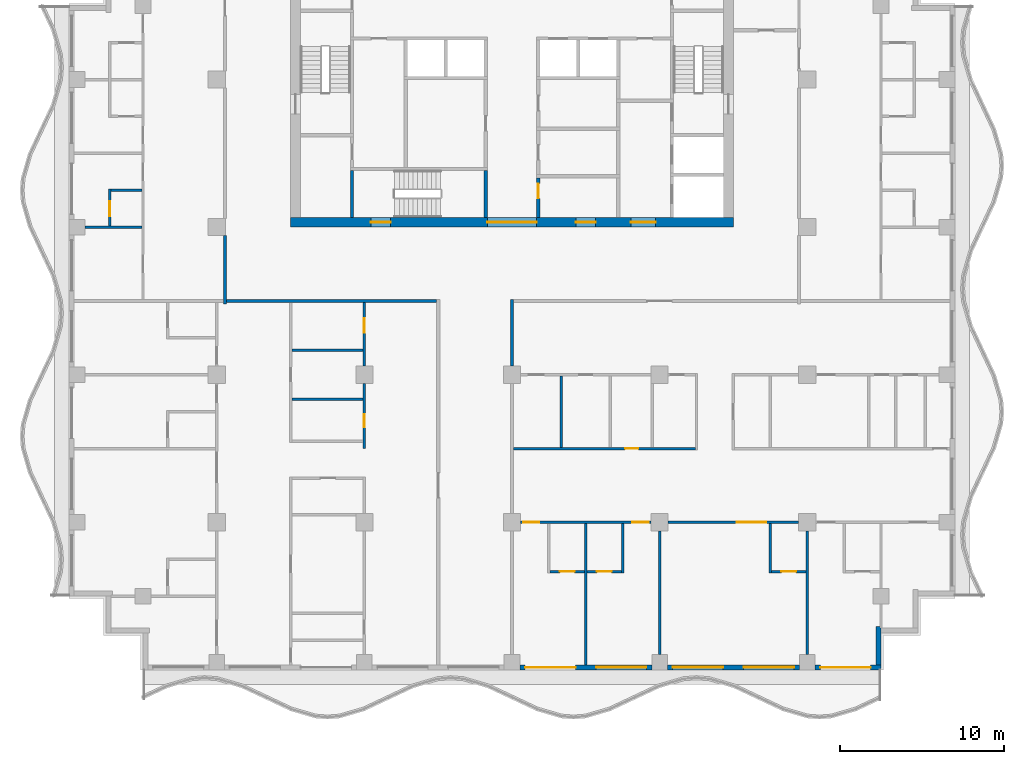
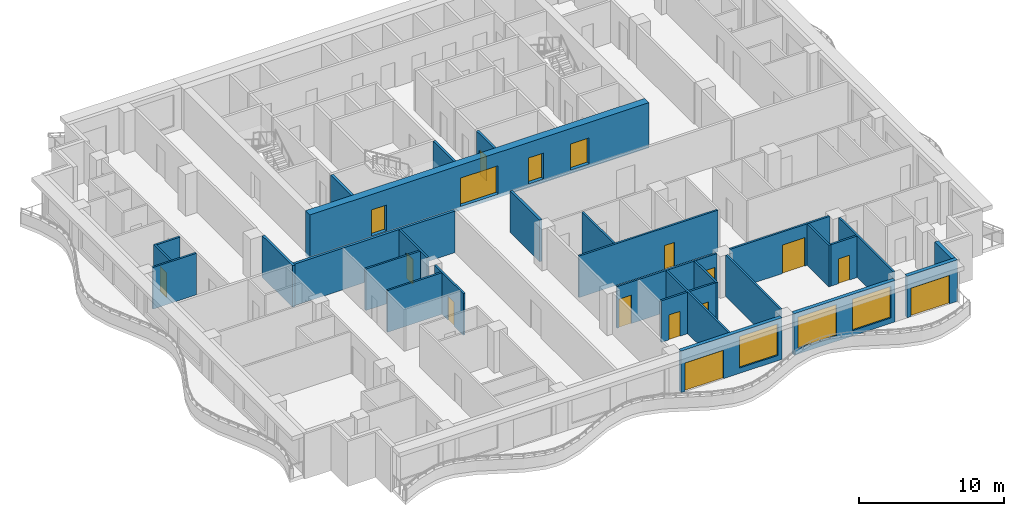
# One storey, part 3 of 11: 30 walls, 17 doors, 3 windows, 20 openings.
"""IFC4 building model written with IfcOpenShell, lengths in metres."""

from ifc_helpers import new_model, si_unit, direction, frame, frame_2d, origin, place, context, subcontext, project, spatial, rectangle, extrude, material, layer, layer_set, type_object, element, fill, save


model = new_model("IFC4")

# Units and contexts
model_context = context("Model", 3, precision=1e-05, world=origin(), true_north=direction((0.0, 1.0)))
body_context = subcontext(model_context, "Body", "Model", "MODEL_VIEW")
ifc_project = project(units=[si_unit("LENGTHUNIT", "METRE"), si_unit("AREAUNIT", "SQUARE_METRE"), si_unit("VOLUMEUNIT", "CUBIC_METRE"), si_unit("PLANEANGLEUNIT", "RADIAN"), si_unit("MASSUNIT", "GRAM", prefix="KILO")], contexts=[model_context])

# Site, building, storey
site_placement = place(None, origin())
site = spatial("IfcSite", under=ifc_project, at=site_placement, CompositionType="ELEMENT")
building_placement = place(site_placement, origin())
building = spatial("IfcBuilding", under=site, at=building_placement, Name="Orbiselva Terraces", CompositionType="ELEMENT")
storey_placement = place(building_placement, frame((0.0, 0.0, 226.2)))
storey = spatial("IfcBuildingStorey", under=building, at=storey_placement, Name="L57", CompositionType="ELEMENT", Elevation=226.2)

# Wall, openings, doors
ifc_material_1 = material(Name="Concrete C80/95", Category="concrete")
ifc_layer_1 = layer(ifc_material_1, 0.6)
ifc_layer_set_1 = layer_set([ifc_layer_1], Name="Concrete C80/95")
wall_type_1 = type_object("IfcWallType", Name="CORE WALL 600", PredefinedType="SHEAR", material=ifc_layer_set_1)
wall_1_placement = place(storey_placement, frame((-13.5, 4.8, -0.3), z_axis=(0.0, 0.0, 1.0), x_axis=(1.0, 0.0, 0.0)))
wall_1 = element("IfcWall", 1, at=wall_1_placement, inside=storey, type_object=wall_type_1, Name="Core wall L57 south", PredefinedType="SHEAR", context=body_context, shape_type="SweptSolid", body=[
    extrude(rectangle(XDim=27.0, YDim=0.6, at=frame_2d((13.5, 0.0))), origin(), (0.0, 0.0, 1.0), 3.8),
])
opening_1_placement = place(wall_1_placement, frame((12.0, 0.0, 0.3)))
opening_1 = element("IfcOpeningElement", 2, at=opening_1_placement, cuts=wall_1, Name="Opening DL3000", PredefinedType="OPENING", context=body_context, shape_type="SweptSolid", body=[
    extrude(rectangle(XDim=3.0, YDim=2.4, at=frame_2d((1.5, 1.2))), frame((0.0, 0.31, 0.0), z_axis=(0.0, -1.0, 0.0), x_axis=(1.0, 0.0, 0.0)), (0.0, 0.0, 1.0), 0.62),
])
opening_2_placement = place(wall_1_placement, frame((4.9, 0.0, 0.3)))
opening_2 = element("IfcOpeningElement", 3, at=opening_2_placement, cuts=wall_1, Name="Opening DS1200", PredefinedType="OPENING", context=body_context, shape_type="SweptSolid", body=[
    extrude(rectangle(XDim=1.2, YDim=2.2, at=frame_2d((0.6, 1.1))), frame((0.0, 0.31, 0.0), z_axis=(0.0, -1.0, 0.0), x_axis=(1.0, 0.0, 0.0)), (0.0, 0.0, 1.0), 0.62),
])
opening_3_placement = place(wall_1_placement, frame((20.75, 0.0, 0.3)))
opening_3 = element("IfcOpeningElement", 4, at=opening_3_placement, cuts=wall_1, Name="Opening DF1500", PredefinedType="OPENING", context=body_context, shape_type="SweptSolid", body=[
    extrude(rectangle(XDim=1.5, YDim=2.2, at=frame_2d((0.75, 1.1))), frame((0.0, 0.31, 0.0), z_axis=(0.0, -1.0, 0.0), x_axis=(1.0, 0.0, 0.0)), (0.0, 0.0, 1.0), 0.62),
])
opening_4_placement = place(wall_1_placement, frame((17.4, 0.0, 0.3)))
opening_4 = element("IfcOpeningElement", 5, at=opening_4_placement, cuts=wall_1, Name="Opening DV1200", PredefinedType="OPENING", context=body_context, shape_type="SweptSolid", body=[
    extrude(rectangle(XDim=1.2, YDim=2.2, at=frame_2d((0.6, 1.1))), frame((0.0, 0.31, 0.0), z_axis=(0.0, -1.0, 0.0), x_axis=(1.0, 0.0, 0.0)), (0.0, 0.0, 1.0), 0.62),
])
ifc_material_2 = material(Name="Steel fire door", Category="steel")
door_type_1 = type_object("IfcDoorType", Name="FFL DOOR 1500", OperationType="DOUBLE_DOOR_SINGLE_SWING", PredefinedType="DOOR", material=ifc_material_2)
door_1_placement = place(opening_3_placement, frame((1.5, 0.0, 0.0), z_axis=(0.0, 0.0, 1.0), x_axis=(-1.0, 0.0, 0.0)))
door_1 = element("IfcDoor", 6, at=door_1_placement, inside=storey, type_object=door_type_1, Name="L57 FIRE-FIGHTING LOBBY door", OperationType="DOUBLE_DOOR_SINGLE_SWING", OverallHeight=2.2, OverallWidth=1.5, PredefinedType="DOOR", context=body_context, shape_type="SweptSolid", body=[
    extrude(rectangle(XDim=1.5, YDim=2.2, at=frame_2d((0.75, 1.1))), frame((0.0, 0.025, 0.0), z_axis=(0.0, -1.0, 0.0), x_axis=(1.0, 0.0, 0.0)), (0.0, 0.0, 1.0), 0.05),
])
fill(opening_3, door_1)
door_type_2 = type_object("IfcDoorType", Name="LOBBY DOOR 3000", OperationType="DOUBLE_DOOR_SINGLE_SWING", PredefinedType="DOOR", material=ifc_material_2)
door_2_placement = place(opening_1_placement, frame((3.0, 0.0, 0.0), z_axis=(0.0, 0.0, 1.0), x_axis=(-1.0, 0.0, 0.0)))
door_2 = element("IfcDoor", 7, at=door_2_placement, inside=storey, type_object=door_type_2, Name="L57 LIFT LOBBY door", OperationType="DOUBLE_DOOR_SINGLE_SWING", OverallHeight=2.4, OverallWidth=3.0, PredefinedType="DOOR", context=body_context, shape_type="SweptSolid", body=[
    extrude(rectangle(XDim=3.0, YDim=2.4, at=frame_2d((1.5, 1.2))), frame((0.0, 0.025, 0.0), z_axis=(0.0, -1.0, 0.0), x_axis=(1.0, 0.0, 0.0)), (0.0, 0.0, 1.0), 0.05),
])
fill(opening_1, door_2)
door_type_3 = type_object("IfcDoorType", Name="SERVICE DOOR 1200", OperationType="NOTDEFINED", PredefinedType="DOOR", material=ifc_material_2)
door_3_placement = place(opening_4_placement, frame((1.2, 0.0, 0.0), z_axis=(0.0, 0.0, 1.0), x_axis=(-1.0, 0.0, 0.0)))
door_3 = element("IfcDoor", 8, at=door_3_placement, inside=storey, type_object=door_type_3, Name="L57 ELECTRICAL RISER ROOM door", OperationType="SINGLE_SWING_RIGHT", OverallHeight=2.2, OverallWidth=1.2, PredefinedType="DOOR", context=body_context, shape_type="SweptSolid", body=[
    extrude(rectangle(XDim=1.2, YDim=2.2, at=frame_2d((0.6, 1.1))), frame((0.0, 0.025, 0.0), z_axis=(0.0, -1.0, 0.0), x_axis=(1.0, 0.0, 0.0)), (0.0, 0.0, 1.0), 0.05),
])
fill(opening_4, door_3)
door_type_4 = type_object("IfcDoorType", Name="STAIR DOOR 1200", OperationType="NOTDEFINED", PredefinedType="DOOR", material=ifc_material_2)
door_4_placement = place(opening_2_placement, frame((1.2, 0.0, 0.0), z_axis=(0.0, 0.0, 1.0), x_axis=(-1.0, 0.0, 0.0)))
door_4 = element("IfcDoor", 9, at=door_4_placement, inside=storey, type_object=door_type_4, Name="L57 EXIT STAIR S3 door", OperationType="SINGLE_SWING_LEFT", OverallHeight=2.2, OverallWidth=1.2, PredefinedType="DOOR", context=body_context, shape_type="SweptSolid", body=[
    extrude(rectangle(XDim=1.2, YDim=2.2, at=frame_2d((0.6, 1.1))), frame((0.0, 0.025, 0.0), z_axis=(0.0, -1.0, 0.0), x_axis=(1.0, 0.0, 0.0)), (0.0, 0.0, 1.0), 0.05),
])
fill(opening_2, door_4)

# Wall, opening, door
ifc_material_3 = material(Name="Masonry blockwork", Category="masonry")
ifc_layer_2 = layer(ifc_material_3, 0.2)
ifc_layer_set_2 = layer_set([ifc_layer_2], Name="Masonry blockwork")
wall_type_2 = type_object("IfcWallType", Name="CORE-WALL-PARTITION-200", PredefinedType="PARTITIONING", material=ifc_layer_set_2)
wall_2_placement = place(storey_placement, frame((1.6, 7.5, 0.0), z_axis=(0.0, 0.0, 1.0), x_axis=(0.0, -1.0, 0.0)))
wall_2 = element("IfcWall", 10, at=wall_2_placement, inside=storey, type_object=wall_type_2, Name="L57 core wall 22", PredefinedType="PARTITIONING", context=body_context, shape_type="SweptSolid", body=[
    extrude(rectangle(XDim=2.4, YDim=0.2, at=frame_2d((1.2, 0.0))), origin(), (0.0, 0.0, 1.0), 3.5),
])
opening_5_placement = place(wall_2_placement, frame((0.35, 0.0, 0.0)))
opening_5 = element("IfcOpeningElement", 11, at=opening_5_placement, cuts=wall_2, Name="Opening DR900", PredefinedType="OPENING", context=body_context, shape_type="SweptSolid", body=[
    extrude(rectangle(XDim=0.9, YDim=2.1, at=frame_2d((0.45, 1.05))), frame((0.0, 0.11, 0.0), z_axis=(0.0, -1.0, 0.0), x_axis=(1.0, 0.0, 0.0)), (0.0, 0.0, 1.0), 0.22),
])
door_type_5 = type_object("IfcDoorType", Name="ROOM DOOR 900", OperationType="NOTDEFINED", PredefinedType="DOOR", material=ifc_material_2)
door_5_placement = place(opening_5_placement, origin())
door_5 = element("IfcDoor", 12, at=door_5_placement, inside=storey, type_object=door_type_5, Name="L57 ELECTRICAL RISER ROOM door", OperationType="SINGLE_SWING_LEFT", OverallHeight=2.1, OverallWidth=0.9, PredefinedType="DOOR", context=body_context, shape_type="SweptSolid", body=[
    extrude(rectangle(XDim=0.9, YDim=2.1, at=frame_2d((0.45, 1.05))), frame((0.0, 0.025, 0.0), z_axis=(0.0, -1.0, 0.0), x_axis=(1.0, 0.0, 0.0)), (0.0, 0.0, 1.0), 0.05),
])
fill(opening_5, door_5)

# Walls
ifc_material_4 = material(Name="Concrete C60/75", Category="concrete")
ifc_layer_3 = layer(ifc_material_4, 0.2)
ifc_layer_set_3 = layer_set([ifc_layer_3], Name="Concrete C60/75")
wall_type_3 = type_object("IfcWallType", Name="CORE-WALL-SHEAR-200", PredefinedType="SHEAR", material=ifc_layer_set_3)
for number, where, z_axis, x_axis, name in (
    (13, (-9.75, 5.1, 0.0), (0.0, 0.0, 1.0), (0.0, 1.0, 0.0), "L57 core wall 03"),
    (14, (-1.6, 5.1, 0.0), (0.0, 0.0, 1.0), (0.0, 1.0, 0.0), "L57 core wall 18"),
):
    element("IfcWall", number, at=place(storey_placement, frame(where, z_axis=z_axis, x_axis=x_axis)), inside=storey, type_object=wall_type_3, Name=name, PredefinedType="SHEAR", context=body_context, shape_type="SweptSolid", body=[
        extrude(rectangle(XDim=2.85, YDim=0.2, at=frame_2d((1.425, 0.0))), origin(), (0.0, 0.0, 1.0), 3.5),
    ])

# Wall, openings, door, window
ifc_material_5 = material(Name="Terracotta cladding on masonry backing", Category="masonry")
ifc_layer_4 = layer(ifc_material_5, 0.3)
ifc_layer_set_4 = layer_set([ifc_layer_4], Name="Terracotta cladding on masonry backing")
wall_type_4 = type_object("IfcWallType", Name="ENV-WALL-TERRACOTTA-300", PredefinedType="SOLIDWALL", material=ifc_layer_set_4)
wall_3_placement = place(storey_placement, frame((8.525, -22.35, 0.0), z_axis=(0.0, 0.0, 1.0), x_axis=(-1.0, 0.0, 0.0)))
wall_3 = element("IfcWall", 15, at=wall_3_placement, inside=storey, type_object=wall_type_4, Name="Facade wall L57 S", PredefinedType="SOLIDWALL", context=body_context, shape_type="SweptSolid", body=[
    extrude(rectangle(XDim=8.05, YDim=0.3, at=frame_2d((4.025, 0.0))), origin(), (0.0, 0.0, 1.0), 3.5),
])
opening_6_placement = place(wall_3_placement, frame((4.65, 0.0, 0.0)))
opening_6 = element("IfcOpeningElement", 16, at=opening_6_placement, cuts=wall_3, Name="Opening Z4-E-E02", PredefinedType="OPENING", context=body_context, shape_type="SweptSolid", body=[
    extrude(rectangle(XDim=3.075, YDim=2.4, at=frame_2d((1.5375, 1.2))), frame((0.0, 0.16, 0.0), z_axis=(0.0, -1.0, 0.0), x_axis=(1.0, 0.0, 0.0)), (0.0, 0.0, 1.0), 0.32),
])
opening_7_placement = place(wall_3_placement, frame((0.325, 0.0, 0.45)))
opening_7 = element("IfcOpeningElement", 17, at=opening_7_placement, cuts=wall_3, Name="Opening WN15", PredefinedType="OPENING", context=body_context, shape_type="SweptSolid", body=[
    extrude(rectangle(XDim=3.075, YDim=2.65, at=frame_2d((1.5375, 1.325))), frame((0.0, 0.16, 0.0), z_axis=(0.0, -1.0, 0.0), x_axis=(1.0, 0.0, 0.0)), (0.0, 0.0, 1.0), 0.32),
])
ifc_material_6 = material(Name="Clear low-e glazing in aluminium frame", Category="aluminium")
door_type_6 = type_object("IfcDoorType", Name="BALCONY DOOR 3075 X 2400", OperationType="DOUBLE_DOOR_SLIDING", PredefinedType="DOOR", material=ifc_material_6)
door_6_placement = place(opening_6_placement, origin())
door_6 = element("IfcDoor", 18, at=door_6_placement, inside=storey, type_object=door_type_6, Name="Z4-E-E02", OperationType="SINGLE_SWING_LEFT", OverallHeight=2.4, OverallWidth=3.075, PredefinedType="DOOR", context=body_context, shape_type="SweptSolid", body=[
    extrude(rectangle(XDim=3.075, YDim=2.4, at=frame_2d((1.5375, 1.2))), frame((0.0, 0.025, 0.0), z_axis=(0.0, -1.0, 0.0), x_axis=(1.0, 0.0, 0.0)), (0.0, 0.0, 1.0), 0.05),
])
fill(opening_6, door_6)
window_type = type_object("IfcWindowType", Name="WINDOW 3075 X 2650 S450", PartitioningType="TRIPLE_PANEL_VERTICAL", PredefinedType="WINDOW", material=ifc_material_6)
window_1_placement = place(opening_7_placement, origin())
window_1 = element("IfcWindow", 19, at=window_1_placement, inside=storey, type_object=window_type, Name="Window L57 S", OverallHeight=2.65, OverallWidth=3.075, PartitioningType="SINGLE_PANEL", PredefinedType="WINDOW", context=body_context, shape_type="SweptSolid", body=[
    extrude(rectangle(XDim=3.075, YDim=2.65, at=frame_2d((1.5375, 1.325))), frame((0.0, 0.03, 0.0), z_axis=(0.0, -1.0, 0.0), x_axis=(1.0, 0.0, 0.0)), (0.0, 0.0, 1.0), 0.06),
])
fill(opening_7, window_1)

# Wall, openings, windows
wall_4_placement = place(storey_placement, frame((17.525, -22.35, 0.0), z_axis=(0.0, 0.0, 1.0), x_axis=(-1.0, 0.0, 0.0)))
wall_4 = element("IfcWall", 20, at=wall_4_placement, inside=storey, type_object=wall_type_4, Name="Facade wall L57 S", PredefinedType="SOLIDWALL", context=body_context, shape_type="SweptSolid", body=[
    extrude(rectangle(XDim=8.05, YDim=0.3, at=frame_2d((4.025, 0.0))), origin(), (0.0, 0.0, 1.0), 3.5),
])
opening_8_placement = place(wall_4_placement, frame((4.65, 0.0, 0.45)))
opening_8 = element("IfcOpeningElement", 21, at=opening_8_placement, cuts=wall_4, Name="Opening WN15", PredefinedType="OPENING", context=body_context, shape_type="SweptSolid", body=[
    extrude(rectangle(XDim=3.075, YDim=2.65, at=frame_2d((1.5375, 1.325))), frame((0.0, 0.16, 0.0), z_axis=(0.0, -1.0, 0.0), x_axis=(1.0, 0.0, 0.0)), (0.0, 0.0, 1.0), 0.32),
])
opening_9_placement = place(wall_4_placement, frame((0.325, 0.0, 0.45)))
opening_9 = element("IfcOpeningElement", 22, at=opening_9_placement, cuts=wall_4, Name="Opening WN15", PredefinedType="OPENING", context=body_context, shape_type="SweptSolid", body=[
    extrude(rectangle(XDim=3.075, YDim=2.65, at=frame_2d((1.5375, 1.325))), frame((0.0, 0.16, 0.0), z_axis=(0.0, -1.0, 0.0), x_axis=(1.0, 0.0, 0.0)), (0.0, 0.0, 1.0), 0.32),
])
window_2_placement = place(opening_8_placement, origin())
window_2 = element("IfcWindow", 23, at=window_2_placement, inside=storey, type_object=window_type, Name="Window L57 S", OverallHeight=2.65, OverallWidth=3.075, PartitioningType="SINGLE_PANEL", PredefinedType="WINDOW", context=body_context, shape_type="SweptSolid", body=[
    extrude(rectangle(XDim=3.075, YDim=2.65, at=frame_2d((1.5375, 1.325))), frame((0.0, 0.03, 0.0), z_axis=(0.0, -1.0, 0.0), x_axis=(1.0, 0.0, 0.0)), (0.0, 0.0, 1.0), 0.06),
])
fill(opening_8, window_2)
window_3_placement = place(opening_9_placement, origin())
window_3 = element("IfcWindow", 24, at=window_3_placement, inside=storey, type_object=window_type, Name="Window L57 S", OverallHeight=2.65, OverallWidth=3.075, PartitioningType="SINGLE_PANEL", PredefinedType="WINDOW", context=body_context, shape_type="SweptSolid", body=[
    extrude(rectangle(XDim=3.075, YDim=2.65, at=frame_2d((1.5375, 1.325))), frame((0.0, 0.03, 0.0), z_axis=(0.0, -1.0, 0.0), x_axis=(1.0, 0.0, 0.0)), (0.0, 0.0, 1.0), 0.06),
])
fill(opening_9, window_3)

# Wall, opening, door
wall_5_placement = place(storey_placement, frame((22.5, -22.35, 0.0), z_axis=(0.0, 0.0, 1.0), x_axis=(-1.0, 0.0, 0.0)))
wall_5 = element("IfcWall", 25, at=wall_5_placement, inside=storey, type_object=wall_type_4, Name="Facade wall L57 S", PredefinedType="SOLIDWALL", context=body_context, shape_type="SweptSolid", body=[
    extrude(rectangle(XDim=4.025, YDim=0.3, at=frame_2d((2.0125, 0.0))), origin(), (0.0, 0.0, 1.0), 3.5),
])
opening_10_placement = place(wall_5_placement, frame((0.625, 0.0, 0.0)))
opening_10 = element("IfcOpeningElement", 26, at=opening_10_placement, cuts=wall_5, Name="Opening Z4-E-E03", PredefinedType="OPENING", context=body_context, shape_type="SweptSolid", body=[
    extrude(rectangle(XDim=3.075, YDim=2.4, at=frame_2d((1.5375, 1.2))), frame((0.0, 0.16, 0.0), z_axis=(0.0, -1.0, 0.0), x_axis=(1.0, 0.0, 0.0)), (0.0, 0.0, 1.0), 0.32),
])
door_7_placement = place(opening_10_placement, origin())
door_7 = element("IfcDoor", 27, at=door_7_placement, inside=storey, type_object=door_type_6, Name="Z4-E-E03", OperationType="SINGLE_SWING_LEFT", OverallHeight=2.4, OverallWidth=3.075, PredefinedType="DOOR", context=body_context, shape_type="SweptSolid", body=[
    extrude(rectangle(XDim=3.075, YDim=2.4, at=frame_2d((1.5375, 1.2))), frame((0.0, 0.025, 0.0), z_axis=(0.0, -1.0, 0.0), x_axis=(1.0, 0.0, 0.0)), (0.0, 0.0, 1.0), 0.05),
])
fill(opening_10, door_7)

# Walls
wall_6_placement = place(storey_placement, frame((22.35, -19.85, 0.0), z_axis=(0.0, 0.0, 1.0), x_axis=(0.0, -1.0, 0.0)))
element("IfcWall", 28, at=wall_6_placement, inside=storey, type_object=wall_type_4, Name="Facade wall L57 STEP", PredefinedType="SOLIDWALL", context=body_context, shape_type="SweptSolid", body=[
    extrude(rectangle(XDim=2.35, YDim=0.3, at=frame_2d((1.175, 0.0))), origin(), (0.0, 0.0, 1.0), 3.5),
])
ifc_material_7 = material(Name="Plasterboard on steel stud partition", Category="steel")
ifc_layer_5 = layer(ifc_material_7, 0.2)
ifc_layer_set_5 = layer_set([ifc_layer_5], Name="Plasterboard on steel stud partition")
wall_type_5 = type_object("IfcWallType", Name="UNIT-ENTRANCE-WALL-200", PredefinedType="PARTITIONING", material=ifc_layer_set_5)
wall_7_placement = place(storey_placement, frame((-17.4, 0.0, 0.0), z_axis=(0.0, 0.0, 1.0), x_axis=(1.0, 0.0, 0.0)))
element("IfcWall", 29, at=wall_7_placement, inside=storey, type_object=wall_type_5, Name="PARTITION L57-028", PredefinedType="PARTITIONING", context=body_context, shape_type="SweptSolid", body=[
    extrude(rectangle(XDim=12.8, YDim=0.2, at=frame_2d((6.4, 0.0))), origin(), (0.0, 0.0, 1.0), 3.5),
])
wall_8_placement = place(storey_placement, frame((-17.5, -0.2, 0.0), z_axis=(0.0, 0.0, 1.0), x_axis=(0.0, 1.0, 0.0)))
element("IfcWall", 30, at=wall_8_placement, inside=storey, type_object=wall_type_5, Name="PARTITION L57-057", PredefinedType="PARTITIONING", context=body_context, shape_type="SweptSolid", body=[
    extrude(rectangle(XDim=4.175, YDim=0.2, at=frame_2d((2.0875, 0.0))), origin(), (0.0, 0.0, 1.0), 3.5),
])
wall_9_placement = place(storey_placement, frame((0.0, -3.975, 0.0), z_axis=(0.0, 0.0, 1.0), x_axis=(0.0, 1.0, 0.0)))
element("IfcWall", 31, at=wall_9_placement, inside=storey, type_object=wall_type_5, Name="PARTITION L57-069", PredefinedType="PARTITIONING", context=body_context, shape_type="SweptSolid", body=[
    extrude(rectangle(XDim=4.075, YDim=0.2, at=frame_2d((2.0375, 0.0))), origin(), (0.0, 0.0, 1.0), 3.5),
])

# Wall, opening, door
ifc_layer_6 = layer(ifc_material_7, 0.15)
ifc_layer_set_6 = layer_set([ifc_layer_6], Name="Plasterboard on steel stud partition")
wall_type_6 = type_object("IfcWallType", Name="UNIT-PARTITION-150", PredefinedType="PARTITIONING", material=ifc_layer_set_6)
wall_10_placement = place(storey_placement, frame((2.325, -16.5, 0.0), z_axis=(0.0, 0.0, 1.0), x_axis=(1.0, 0.0, 0.0)))
wall_10 = element("IfcWall", 32, at=wall_10_placement, inside=storey, type_object=wall_type_6, Name="PARTITION L57-005", PredefinedType="PARTITIONING", context=body_context, shape_type="SweptSolid", body=[
    extrude(rectangle(XDim=2.1, YDim=0.15, at=frame_2d((1.05, 0.0))), origin(), (0.0, 0.0, 1.0), 3.5),
])
opening_11_placement = place(wall_10_placement, frame((0.6, 0.0, 0.0)))
opening_11 = element("IfcOpeningElement", 33, at=opening_11_placement, cuts=wall_10, Name="Opening Z4-E-51", PredefinedType="OPENING", context=body_context, shape_type="SweptSolid", body=[
    extrude(rectangle(XDim=0.9, YDim=2.1, at=frame_2d((0.45, 1.05))), frame((0.0, 0.085, 0.0), z_axis=(0.0, -1.0, 0.0), x_axis=(1.0, 0.0, 0.0)), (0.0, 0.0, 1.0), 0.17),
])
ifc_material_8 = material(Name="Painted timber door leaf", Category="wood")
door_type_7 = type_object("IfcDoorType", Name="BATH DOOR 900", OperationType="NOTDEFINED", PredefinedType="DOOR", material=ifc_material_8)
door_8_placement = place(opening_11_placement, origin())
door_8 = element("IfcDoor", 34, at=door_8_placement, inside=storey, type_object=door_type_7, Name="Z4-E-51", OperationType="SINGLE_SWING_RIGHT", OverallHeight=2.1, OverallWidth=0.9, PredefinedType="DOOR", context=body_context, shape_type="SweptSolid", body=[
    extrude(rectangle(XDim=0.9, YDim=2.1, at=frame_2d((0.45, 1.05))), frame((0.0, 0.025, 0.0), z_axis=(0.0, -1.0, 0.0), x_axis=(1.0, 0.0, 0.0)), (0.0, 0.0, 1.0), 0.05),
])
fill(opening_11, door_8)

wall_11_placement = place(storey_placement, frame((4.575, -16.5, 0.0), z_axis=(0.0, 0.0, 1.0), x_axis=(1.0, 0.0, 0.0)))
wall_11 = element("IfcWall", 35, at=wall_11_placement, inside=storey, type_object=wall_type_6, Name="PARTITION L57-006", PredefinedType="PARTITIONING", context=body_context, shape_type="SweptSolid", body=[
    extrude(rectangle(XDim=2.1, YDim=0.15, at=frame_2d((1.05, 0.0))), origin(), (0.0, 0.0, 1.0), 3.5),
])
opening_12_placement = place(wall_11_placement, frame((0.6, 0.0, 0.0)))
opening_12 = element("IfcOpeningElement", 36, at=opening_12_placement, cuts=wall_11, Name="Opening Z4-E-49", PredefinedType="OPENING", context=body_context, shape_type="SweptSolid", body=[
    extrude(rectangle(XDim=0.9, YDim=2.1, at=frame_2d((0.45, 1.05))), frame((0.0, 0.085, 0.0), z_axis=(0.0, -1.0, 0.0), x_axis=(1.0, 0.0, 0.0)), (0.0, 0.0, 1.0), 0.17),
])
door_9_placement = place(opening_12_placement, origin())
door_9 = element("IfcDoor", 37, at=door_9_placement, inside=storey, type_object=door_type_7, Name="Z4-E-49", OperationType="SINGLE_SWING_LEFT", OverallHeight=2.1, OverallWidth=0.9, PredefinedType="DOOR", context=body_context, shape_type="SweptSolid", body=[
    extrude(rectangle(XDim=0.9, YDim=2.1, at=frame_2d((0.45, 1.05))), frame((0.0, 0.025, 0.0), z_axis=(0.0, -1.0, 0.0), x_axis=(1.0, 0.0, 0.0)), (0.0, 0.0, 1.0), 0.05),
])
fill(opening_12, door_9)

wall_12_placement = place(storey_placement, frame((15.825, -16.5, 0.0), z_axis=(0.0, 0.0, 1.0), x_axis=(1.0, 0.0, 0.0)))
wall_12 = element("IfcWall", 38, at=wall_12_placement, inside=storey, type_object=wall_type_6, Name="PARTITION L57-007", PredefinedType="PARTITIONING", context=body_context, shape_type="SweptSolid", body=[
    extrude(rectangle(XDim=2.1, YDim=0.15, at=frame_2d((1.05, 0.0))), origin(), (0.0, 0.0, 1.0), 3.5),
])
opening_13_placement = place(wall_12_placement, frame((0.6, 0.0, 0.0)))
opening_13 = element("IfcOpeningElement", 39, at=opening_13_placement, cuts=wall_12, Name="Opening Z4-E-47", PredefinedType="OPENING", context=body_context, shape_type="SweptSolid", body=[
    extrude(rectangle(XDim=0.9, YDim=2.1, at=frame_2d((0.45, 1.05))), frame((0.0, 0.085, 0.0), z_axis=(0.0, -1.0, 0.0), x_axis=(1.0, 0.0, 0.0)), (0.0, 0.0, 1.0), 0.17),
])
door_10_placement = place(opening_13_placement, origin())
door_10 = element("IfcDoor", 40, at=door_10_placement, inside=storey, type_object=door_type_7, Name="Z4-E-47", OperationType="SINGLE_SWING_LEFT", OverallHeight=2.1, OverallWidth=0.9, PredefinedType="DOOR", context=body_context, shape_type="SweptSolid", body=[
    extrude(rectangle(XDim=0.9, YDim=2.1, at=frame_2d((0.45, 1.05))), frame((0.0, 0.025, 0.0), z_axis=(0.0, -1.0, 0.0), x_axis=(1.0, 0.0, 0.0)), (0.0, 0.0, 1.0), 0.05),
])
fill(opening_13, door_10)

# Wall, openings, doors
wall_13_placement = place(storey_placement, frame((8.475, -13.5, 0.0), z_axis=(0.0, 0.0, 1.0), x_axis=(-1.0, 0.0, 0.0)))
wall_13 = element("IfcWall", 41, at=wall_13_placement, inside=storey, type_object=wall_type_6, Name="PARTITION L57-010", PredefinedType="PARTITIONING", context=body_context, shape_type="SweptSolid", body=[
    extrude(rectangle(XDim=7.95, YDim=0.15, at=frame_2d((3.975, 0.0))), origin(), (0.0, 0.0, 1.0), 3.5),
])
opening_14_placement = place(wall_13_placement, frame((0.15, 0.0, 0.0)))
opening_14 = element("IfcOpeningElement", 42, at=opening_14_placement, cuts=wall_13, Name="Opening Z4-E-48", PredefinedType="OPENING", context=body_context, shape_type="SweptSolid", body=[
    extrude(rectangle(XDim=1.0, YDim=2.4, at=frame_2d((0.5, 1.2))), frame((0.0, 0.085, 0.0), z_axis=(0.0, -1.0, 0.0), x_axis=(1.0, 0.0, 0.0)), (0.0, 0.0, 1.0), 0.17),
])
opening_15_placement = place(wall_13_placement, frame((6.8, 0.0, 0.0)))
opening_15 = element("IfcOpeningElement", 43, at=opening_15_placement, cuts=wall_13, Name="Opening Z4-E-50", PredefinedType="OPENING", context=body_context, shape_type="SweptSolid", body=[
    extrude(rectangle(XDim=1.0, YDim=2.4, at=frame_2d((0.5, 1.2))), frame((0.0, 0.085, 0.0), z_axis=(0.0, -1.0, 0.0), x_axis=(1.0, 0.0, 0.0)), (0.0, 0.0, 1.0), 0.17),
])
door_type_8 = type_object("IfcDoorType", Name="ROOM DOOR 1000", OperationType="NOTDEFINED", PredefinedType="DOOR", material=ifc_material_8)
door_11_placement = place(opening_14_placement, origin())
door_11 = element("IfcDoor", 44, at=door_11_placement, inside=storey, type_object=door_type_8, Name="Z4-E-48", OperationType="SINGLE_SWING_LEFT", OverallHeight=2.4, OverallWidth=1.0, PredefinedType="DOOR", context=body_context, shape_type="SweptSolid", body=[
    extrude(rectangle(XDim=1.0, YDim=2.4, at=frame_2d((0.5, 1.2))), frame((0.0, 0.025, 0.0), z_axis=(0.0, -1.0, 0.0), x_axis=(1.0, 0.0, 0.0)), (0.0, 0.0, 1.0), 0.05),
])
fill(opening_14, door_11)
door_12_placement = place(opening_15_placement, origin())
door_12 = element("IfcDoor", 45, at=door_12_placement, inside=storey, type_object=door_type_8, Name="Z4-E-50", OperationType="SINGLE_SWING_RIGHT", OverallHeight=2.4, OverallWidth=1.0, PredefinedType="DOOR", context=body_context, shape_type="SweptSolid", body=[
    extrude(rectangle(XDim=1.0, YDim=2.4, at=frame_2d((0.5, 1.2))), frame((0.0, 0.025, 0.0), z_axis=(0.0, -1.0, 0.0), x_axis=(1.0, 0.0, 0.0)), (0.0, 0.0, 1.0), 0.05),
])
fill(opening_15, door_12)

# Wall, opening, door
wall_14_placement = place(storey_placement, frame((17.475, -13.5, 0.0), z_axis=(0.0, 0.0, 1.0), x_axis=(-1.0, 0.0, 0.0)))
wall_14 = element("IfcWall", 46, at=wall_14_placement, inside=storey, type_object=wall_type_6, Name="PARTITION L57-011", PredefinedType="PARTITIONING", context=body_context, shape_type="SweptSolid", body=[
    extrude(rectangle(XDim=7.95, YDim=0.15, at=frame_2d((3.975, 0.0))), origin(), (0.0, 0.0, 1.0), 3.5),
])
opening_16_placement = place(wall_14_placement, frame((1.975, 0.0, 0.0)))
opening_16 = element("IfcOpeningElement", 47, at=opening_16_placement, cuts=wall_14, Name="Opening Z4-E-46", PredefinedType="OPENING", context=body_context, shape_type="SweptSolid", body=[
    extrude(rectangle(XDim=1.8, YDim=2.4, at=frame_2d((0.9, 1.2))), frame((0.0, 0.085, 0.0), z_axis=(0.0, -1.0, 0.0), x_axis=(1.0, 0.0, 0.0)), (0.0, 0.0, 1.0), 0.17),
])
door_type_9 = type_object("IfcDoorType", Name="DOUBLE DOOR 1800", OperationType="NOTDEFINED", PredefinedType="DOOR", material=ifc_material_8)
door_13_placement = place(opening_16_placement, origin())
door_13 = element("IfcDoor", 48, at=door_13_placement, inside=storey, type_object=door_type_9, Name="Z4-E-46", OperationType="DOUBLE_DOOR_SINGLE_SWING", OverallHeight=2.4, OverallWidth=1.8, PredefinedType="DOOR", context=body_context, shape_type="SweptSolid", body=[
    extrude(rectangle(XDim=1.8, YDim=2.4, at=frame_2d((0.9, 1.2))), frame((0.0, 0.025, 0.0), z_axis=(0.0, -1.0, 0.0), x_axis=(1.0, 0.0, 0.0)), (0.0, 0.0, 1.0), 0.05),
])
fill(opening_16, door_13)

wall_15_placement = place(storey_placement, frame((0.1, -9.0, 0.0), z_axis=(0.0, 0.0, 1.0), x_axis=(1.0, 0.0, 0.0)))
wall_15 = element("IfcWall", 49, at=wall_15_placement, inside=storey, type_object=wall_type_6, Name="PARTITION L57-016", PredefinedType="PARTITIONING", context=body_context, shape_type="SweptSolid", body=[
    extrude(rectangle(XDim=11.075, YDim=0.15, at=frame_2d((5.5375, 0.0))), origin(), (0.0, 0.0, 1.0), 3.5),
])
opening_17_placement = place(wall_15_placement, frame((6.8, 0.0, 0.0)))
opening_17 = element("IfcOpeningElement", 50, at=opening_17_placement, cuts=wall_15, Name="Opening Z4-E-40", PredefinedType="OPENING", context=body_context, shape_type="SweptSolid", body=[
    extrude(rectangle(XDim=0.8, YDim=2.0, at=frame_2d((0.4, 1.0))), frame((0.0, 0.085, 0.0), z_axis=(0.0, -1.0, 0.0), x_axis=(1.0, 0.0, 0.0)), (0.0, 0.0, 1.0), 0.17),
])
door_type_10 = type_object("IfcDoorType", Name="STORE DOOR 800", OperationType="NOTDEFINED", PredefinedType="DOOR", material=ifc_material_8)
door_14_placement = place(opening_17_placement, origin())
door_14 = element("IfcDoor", 51, at=door_14_placement, inside=storey, type_object=door_type_10, Name="Z4-E-40", OperationType="SINGLE_SWING_RIGHT", OverallHeight=2.0, OverallWidth=0.8, PredefinedType="DOOR", context=body_context, shape_type="SweptSolid", body=[
    extrude(rectangle(XDim=0.8, YDim=2.0, at=frame_2d((0.4, 1.0))), frame((0.0, 0.025, 0.0), z_axis=(0.0, -1.0, 0.0), x_axis=(1.0, 0.0, 0.0)), (0.0, 0.0, 1.0), 0.05),
])
fill(opening_17, door_14)

# Walls
for number, where, z_axis, x_axis, name in (
    (52, (-13.425, -6.0, 0.0), (0.0, 0.0, 1.0), (1.0, 0.0, 0.0), "PARTITION L57-020"),
    (53, (-13.425, -3.0, 0.0), (0.0, 0.0, 1.0), (1.0, 0.0, 0.0), "PARTITION L57-026"),
):
    element("IfcWall", number, at=place(storey_placement, frame(where, z_axis=z_axis, x_axis=x_axis)), inside=storey, type_object=wall_type_6, Name=name, PredefinedType="PARTITIONING", context=body_context, shape_type="SweptSolid", body=[
        extrude(rectangle(XDim=4.35, YDim=0.15, at=frame_2d((2.175, 0.0))), origin(), (0.0, 0.0, 1.0), 3.5),
    ])
wall_16_placement = place(storey_placement, frame((-26.05, 4.5, 0.0), z_axis=(0.0, 0.0, 1.0), x_axis=(1.0, 0.0, 0.0)))
element("IfcWall", 54, at=wall_16_placement, inside=storey, type_object=wall_type_6, Name="PARTITION L57-032", PredefinedType="PARTITIONING", context=body_context, shape_type="SweptSolid", body=[
    extrude(rectangle(XDim=3.475, YDim=0.15, at=frame_2d((1.7375, 0.0))), origin(), (0.0, 0.0, 1.0), 3.5),
])
wall_17_placement = place(storey_placement, frame((-24.45, 6.75, 0.0), z_axis=(0.0, 0.0, 1.0), x_axis=(1.0, 0.0, 0.0)))
element("IfcWall", 55, at=wall_17_placement, inside=storey, type_object=wall_type_6, Name="PARTITION L57-034", PredefinedType="PARTITIONING", context=body_context, shape_type="SweptSolid", body=[
    extrude(rectangle(XDim=1.875, YDim=0.15, at=frame_2d((0.9375, 0.0))), origin(), (0.0, 0.0, 1.0), 3.5),
])

# Wall, opening, door
wall_18_placement = place(storey_placement, frame((-24.525, 6.825, 0.0), z_axis=(0.0, 0.0, 1.0), x_axis=(0.0, -1.0, 0.0)))
wall_18 = element("IfcWall", 56, at=wall_18_placement, inside=storey, type_object=wall_type_6, Name="PARTITION L57-047", PredefinedType="PARTITIONING", context=body_context, shape_type="SweptSolid", body=[
    extrude(rectangle(XDim=2.25, YDim=0.15, at=frame_2d((1.125, 0.0))), origin(), (0.0, 0.0, 1.0), 3.5),
])
opening_18_placement = place(wall_18_placement, frame((0.75, 0.0, 0.0)))
opening_18 = element("IfcOpeningElement", 57, at=opening_18_placement, cuts=wall_18, Name="Opening Z4-E-05", PredefinedType="OPENING", context=body_context, shape_type="SweptSolid", body=[
    extrude(rectangle(XDim=0.9, YDim=2.1, at=frame_2d((0.45, 1.05))), frame((0.0, 0.085, 0.0), z_axis=(0.0, -1.0, 0.0), x_axis=(1.0, 0.0, 0.0)), (0.0, 0.0, 1.0), 0.17),
])
door_15_placement = place(opening_18_placement, origin())
door_15 = element("IfcDoor", 58, at=door_15_placement, inside=storey, type_object=door_type_7, Name="Z4-E-05", OperationType="SINGLE_SWING_RIGHT", OverallHeight=2.1, OverallWidth=0.9, PredefinedType="DOOR", context=body_context, shape_type="SweptSolid", body=[
    extrude(rectangle(XDim=0.9, YDim=2.1, at=frame_2d((0.45, 1.05))), frame((0.0, 0.025, 0.0), z_axis=(0.0, -1.0, 0.0), x_axis=(1.0, 0.0, 0.0)), (0.0, 0.0, 1.0), 0.05),
])
fill(opening_18, door_15)

wall_19_placement = place(storey_placement, frame((-9.0, -9.0, 0.0), z_axis=(0.0, 0.0, 1.0), x_axis=(0.0, 1.0, 0.0)))
wall_19 = element("IfcWall", 59, at=wall_19_placement, inside=storey, type_object=wall_type_6, Name="PARTITION L57-064", PredefinedType="PARTITIONING", context=body_context, shape_type="SweptSolid", body=[
    extrude(rectangle(XDim=3.975, YDim=0.15, at=frame_2d((1.9875, 0.0))), origin(), (0.0, 0.0, 1.0), 3.5),
])
opening_19_placement = place(wall_19_placement, frame((1.3, 0.0, 0.0)))
opening_19 = element("IfcOpeningElement", 60, at=opening_19_placement, cuts=wall_19, Name="Opening Z4-E-23", PredefinedType="OPENING", context=body_context, shape_type="SweptSolid", body=[
    extrude(rectangle(XDim=0.8, YDim=2.0, at=frame_2d((0.4, 1.0))), frame((0.0, 0.085, 0.0), z_axis=(0.0, -1.0, 0.0), x_axis=(1.0, 0.0, 0.0)), (0.0, 0.0, 1.0), 0.17),
])
door_16_placement = place(opening_19_placement, origin())
door_16 = element("IfcDoor", 61, at=door_16_placement, inside=storey, type_object=door_type_10, Name="Z4-E-23", OperationType="SINGLE_SWING_LEFT", OverallHeight=2.0, OverallWidth=0.8, PredefinedType="DOOR", context=body_context, shape_type="SweptSolid", body=[
    extrude(rectangle(XDim=0.8, YDim=2.0, at=frame_2d((0.4, 1.0))), frame((0.0, 0.025, 0.0), z_axis=(0.0, -1.0, 0.0), x_axis=(1.0, 0.0, 0.0)), (0.0, 0.0, 1.0), 0.05),
])
fill(opening_19, door_16)

wall_20_placement = place(storey_placement, frame((-9.0, -3.975, 0.0), z_axis=(0.0, 0.0, 1.0), x_axis=(0.0, 1.0, 0.0)))
wall_20 = element("IfcWall", 62, at=wall_20_placement, inside=storey, type_object=wall_type_6, Name="PARTITION L57-065", PredefinedType="PARTITIONING", context=body_context, shape_type="SweptSolid", body=[
    extrude(rectangle(XDim=3.875, YDim=0.15, at=frame_2d((1.9375, 0.0))), origin(), (0.0, 0.0, 1.0), 3.5),
])
opening_20_placement = place(wall_20_placement, frame((2.025, 0.0, 0.0)))
opening_20 = element("IfcOpeningElement", 63, at=opening_20_placement, cuts=wall_20, Name="Opening Z4-E-25", PredefinedType="OPENING", context=body_context, shape_type="SweptSolid", body=[
    extrude(rectangle(XDim=0.9, YDim=2.1, at=frame_2d((0.45, 1.05))), frame((0.0, 0.085, 0.0), z_axis=(0.0, -1.0, 0.0), x_axis=(1.0, 0.0, 0.0)), (0.0, 0.0, 1.0), 0.17),
])
door_type_11 = type_object("IfcDoorType", Name="SERVICE DOOR 900", OperationType="NOTDEFINED", PredefinedType="DOOR", material=ifc_material_8)
door_17_placement = place(opening_20_placement, origin())
door_17 = element("IfcDoor", 64, at=door_17_placement, inside=storey, type_object=door_type_11, Name="Z4-E-25", OperationType="SINGLE_SWING_RIGHT", OverallHeight=2.1, OverallWidth=0.9, PredefinedType="DOOR", context=body_context, shape_type="SweptSolid", body=[
    extrude(rectangle(XDim=0.9, YDim=2.1, at=frame_2d((0.45, 1.05))), frame((0.0, 0.025, 0.0), z_axis=(0.0, -1.0, 0.0), x_axis=(1.0, 0.0, 0.0)), (0.0, 0.0, 1.0), 0.05),
])
fill(opening_20, door_17)

# Walls
wall_21_placement = place(storey_placement, frame((3.0, -8.925, 0.0), z_axis=(0.0, 0.0, 1.0), x_axis=(0.0, 1.0, 0.0)))
element("IfcWall", 65, at=wall_21_placement, inside=storey, type_object=wall_type_6, Name="PARTITION L57-071", PredefinedType="PARTITIONING", context=body_context, shape_type="SweptSolid", body=[
    extrude(rectangle(XDim=4.35, YDim=0.15, at=frame_2d((2.175, 0.0))), origin(), (0.0, 0.0, 1.0), 3.5),
])
wall_22_placement = place(storey_placement, frame((4.5, -22.2, 0.0), z_axis=(0.0, 0.0, 1.0), x_axis=(0.0, 1.0, 0.0)))
element("IfcWall", 66, at=wall_22_placement, inside=storey, type_object=wall_type_6, Name="PARTITION L57-072", PredefinedType="PARTITIONING", context=body_context, shape_type="SweptSolid", body=[
    extrude(rectangle(XDim=8.625, YDim=0.15, at=frame_2d((4.3125, 0.0))), origin(), (0.0, 0.0, 1.0), 3.5),
])
wall_23_placement = place(storey_placement, frame((6.75, -16.575, 0.0), z_axis=(0.0, 0.0, 1.0), x_axis=(0.0, 1.0, 0.0)))
element("IfcWall", 67, at=wall_23_placement, inside=storey, type_object=wall_type_6, Name="PARTITION L57-074", PredefinedType="PARTITIONING", context=body_context, shape_type="SweptSolid", body=[
    extrude(rectangle(XDim=3.0, YDim=0.15, at=frame_2d((1.5, 0.0))), origin(), (0.0, 0.0, 1.0), 3.5),
])
wall_24_placement = place(storey_placement, frame((9.0, -21.55, 0.0), z_axis=(0.0, 0.0, 1.0), x_axis=(0.0, 1.0, 0.0)))
element("IfcWall", 68, at=wall_24_placement, inside=storey, type_object=wall_type_6, Name="PARTITION L57-076", PredefinedType="PARTITIONING", context=body_context, shape_type="SweptSolid", body=[
    extrude(rectangle(XDim=7.525, YDim=0.15, at=frame_2d((3.7625, 0.0))), origin(), (0.0, 0.0, 1.0), 3.5),
])
wall_25_placement = place(storey_placement, frame((15.75, -16.575, 0.0), z_axis=(0.0, 0.0, 1.0), x_axis=(0.0, 1.0, 0.0)))
element("IfcWall", 69, at=wall_25_placement, inside=storey, type_object=wall_type_6, Name="PARTITION L57-079", PredefinedType="PARTITIONING", context=body_context, shape_type="SweptSolid", body=[
    extrude(rectangle(XDim=3.0, YDim=0.15, at=frame_2d((1.5, 0.0))), origin(), (0.0, 0.0, 1.0), 3.5),
])
wall_26_placement = place(storey_placement, frame((18.0, -21.55, 0.0), z_axis=(0.0, 0.0, 1.0), x_axis=(0.0, 1.0, 0.0)))
element("IfcWall", 70, at=wall_26_placement, inside=storey, type_object=wall_type_6, Name="PARTITION L57-085", PredefinedType="PARTITIONING", context=body_context, shape_type="SweptSolid", body=[
    extrude(rectangle(XDim=7.525, YDim=0.15, at=frame_2d((3.7625, 0.0))), origin(), (0.0, 0.0, 1.0), 3.5),
])

save(model, "model.ifc")
